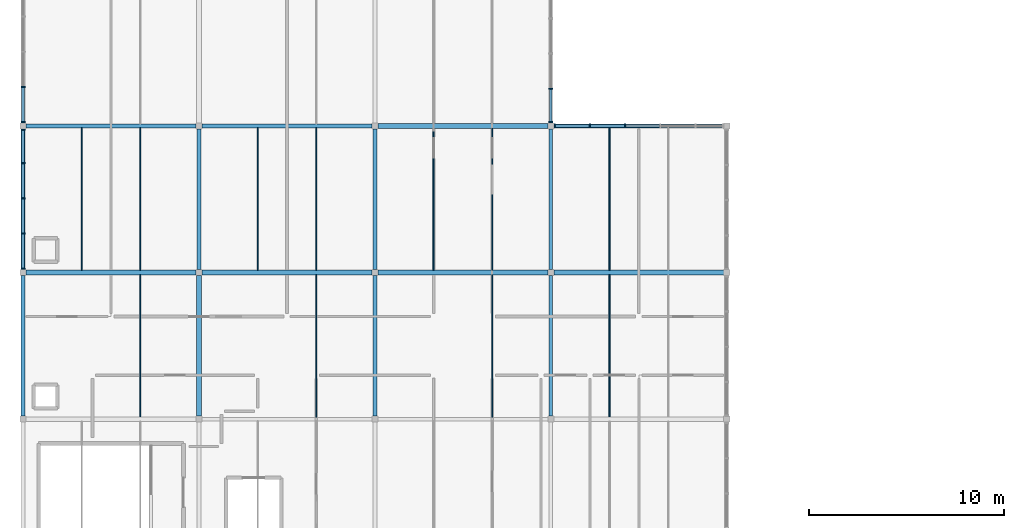
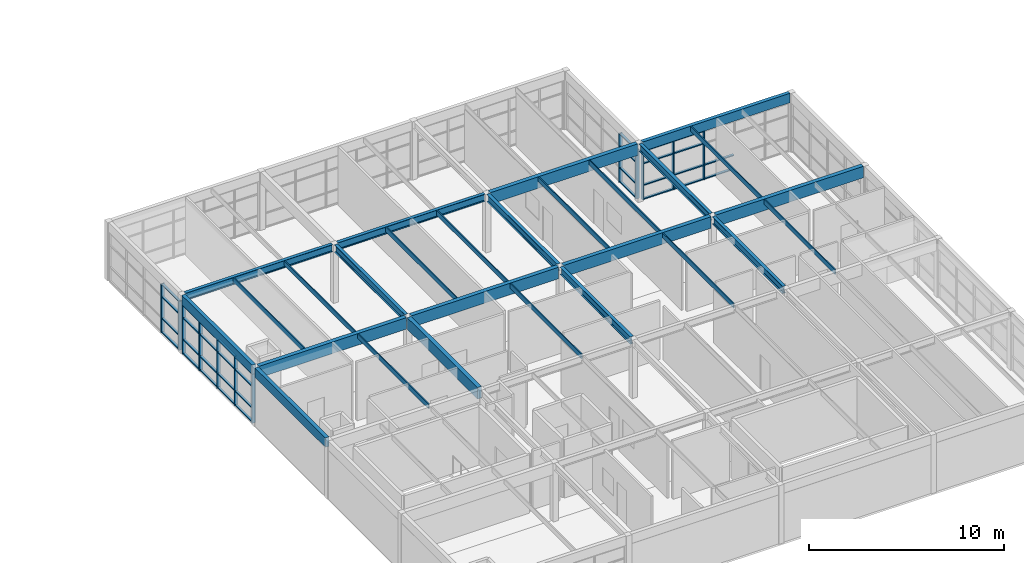
# One storey, part 4 of 24: 46 members, 27 beams, 4 elements without a shape of their own.
"""IFC4 building model written with IfcOpenShell, lengths in metres."""

from ifc_helpers import new_model, si_unit, direction, frame, origin, origin_2d, place, context, subcontext, project, spatial, rectangle, i_section, extrude, material, layer, layer_set, material_profile, profile_set, type_object, element, aggregate, save


model = new_model("IFC4")

# Units and contexts
model_context = context("Model", 3, precision=1e-05, world=origin(), true_north=direction((0.0, 1.0)))
body_context = subcontext(model_context, "Body", "Model", "MODEL_VIEW")
ifc_project = project(units=[si_unit("LENGTHUNIT", "METRE"), si_unit("AREAUNIT", "SQUARE_METRE"), si_unit("VOLUMEUNIT", "CUBIC_METRE"), si_unit("PLANEANGLEUNIT", "RADIAN"), si_unit("MASSUNIT", "GRAM", prefix="KILO")], contexts=[model_context])

# Site, building, storey
site_placement = place(None, origin())
site = spatial("IfcSite", under=ifc_project, at=site_placement, CompositionType="ELEMENT")
building_placement = place(site_placement, origin())
building = spatial("IfcBuilding", under=site, at=building_placement, Name="Marnridge Secondary College", CompositionType="ELEMENT")
storey_placement = place(building_placement, frame((0.0, 0.0, 16.10009765625)))
storey = spatial("IfcBuildingStorey", under=building, at=storey_placement, Name="L04", CompositionType="ELEMENT", Elevation=16.10009765625)

# Beams
ifc_material_1 = material(Name="Glulam timber GL18", Category="wood")
ifc_material_profile_1 = material_profile(ifc_material_1, rectangle(XDim=0.215087890625, YDim=0.5849609375, at=origin_2d()), Name="GL18 215x585")
ifc_profile_set_1 = profile_set([ifc_material_profile_1], Name="Glulam timber GL18")
beam_type_1 = type_object("IfcBeamType", Name="BM-GL585-EXT", PredefinedType="SPANDREL", material=ifc_profile_set_1)
for number, where, z_axis, x_axis, name in (
    (1, (0.0, 15.151611328125, 3.357421875), (0.0, 1.0, 0.0), (-1.0, 0.0, 0.0), "Beam BRF-L04-1391"),
    (2, (0.0, 22.651611328125, 3.357421875), (0.0, 1.0, 0.0), (-1.0, 0.0, 0.0), "Beam BRF-L04-1394"),
):
    element("IfcBeam", number, at=place(storey_placement, frame(where, z_axis=z_axis, x_axis=x_axis)), inside=storey, type_object=beam_type_1, Name=name, PredefinedType="SPANDREL", context=body_context, shape_type="SweptSolid", body=[
        extrude(rectangle(XDim=0.215087890625, YDim=0.5849609375, at=origin_2d()), origin(), (0.0, 0.0, 1.0), 7.19677734375),
    ])
beam_1_placement = place(storey_placement, frame((27.151611328125, 30.0, 3.357421875), z_axis=(1.0, 0.0, 0.0), x_axis=(0.0, 1.0, 0.0)))
element("IfcBeam", 3, at=beam_1_placement, inside=storey, type_object=beam_type_1, Name="Beam BRF-L04-1421", PredefinedType="SPANDREL", context=body_context, shape_type="SweptSolid", body=[
    extrude(rectangle(XDim=0.215087890625, YDim=0.5849609375, at=origin_2d()), origin(), (0.0, 0.0, 1.0), 8.69677734375),
])
ifc_material_2 = material(Name="Glulam timber GL18", Category="wood")
ifc_material_profile_2 = material_profile(ifc_material_2, rectangle(XDim=0.239990234375, YDim=0.719970703125, at=origin_2d()), Name="GL18 240x720")
ifc_profile_set_2 = profile_set([ifc_material_profile_2], Name="Glulam timber GL18")
beam_type_2 = type_object("IfcBeamType", Name="BM-GL720-INT", PredefinedType="BEAM", material=ifc_profile_set_2)
beam_2_placement = place(storey_placement, frame((0.151611328125, 22.5, 3.289794921875), z_axis=(1.0, 0.0, 0.0), x_axis=(0.0, 1.0, 0.0)))
element("IfcBeam", 4, at=beam_2_placement, inside=storey, type_object=beam_type_2, Name="Beam BRF-L04-1390", PredefinedType="BEAM", context=body_context, shape_type="SweptSolid", body=[
    extrude(rectangle(XDim=0.239990234375, YDim=0.719970703125, at=origin_2d()), origin(), (0.0, 0.0, 1.0), 8.69677734375),
])
beam_3_placement = place(storey_placement, frame((9.0, 15.151611328125, 3.289794921875), z_axis=(0.0, 1.0, 0.0), x_axis=(-1.0, 0.0, 0.0)))
element("IfcBeam", 5, at=beam_3_placement, inside=storey, type_object=beam_type_2, Name="Beam BRF-L04-1392", PredefinedType="BEAM", context=body_context, shape_type="SweptSolid", body=[
    extrude(rectangle(XDim=0.239990234375, YDim=0.719970703125, at=origin_2d()), origin(), (0.0, 0.0, 1.0), 7.19677734375),
])
for number, where, z_axis, x_axis, name in (
    (6, (9.151611328125, 22.5, 3.289794921875), (1.0, 0.0, 0.0), (0.0, 1.0, 0.0), "Beam BRF-L04-1401"),
    (7, (18.151611328125, 22.5, 3.289794921875), (1.0, 0.0, 0.0), (0.0, 1.0, 0.0), "Beam BRF-L04-1410"),
    (8, (18.151611328125, 30.0, 3.289794921875), (1.0, 0.0, 0.0), (0.0, 1.0, 0.0), "Beam BRF-L04-1412"),
    (9, (27.151611328125, 22.5, 3.289794921875), (1.0, 0.0, 0.0), (0.0, 1.0, 0.0), "Beam BRF-L04-1419"),
):
    element("IfcBeam", number, at=place(storey_placement, frame(where, z_axis=z_axis, x_axis=x_axis)), inside=storey, type_object=beam_type_2, Name=name, PredefinedType="BEAM", context=body_context, shape_type="SweptSolid", body=[
        extrude(rectangle(XDim=0.239990234375, YDim=0.719970703125, at=origin_2d()), origin(), (0.0, 0.0, 1.0), 8.69677734375),
    ])
ifc_material_3 = material(Name="Engineered timber LVL E13.2", Category="wood")
ifc_material_profile_3 = material_profile(ifc_material_3, rectangle(XDim=0.06298828125, YDim=0.300048828125, at=origin_2d()), Name="LVL 63x300")
ifc_profile_set_3 = profile_set([ifc_material_profile_3], Name="Engineered timber LVL E13.2")
beam_type_3 = type_object("IfcBeamType", Name="BM-LVL300-INT", PredefinedType="JOIST", material=ifc_profile_set_3)
beam_4_placement = place(storey_placement, frame((6.0, 15.114013671875, 3.5), z_axis=(0.0, 1.0, 0.0), x_axis=(-1.0, 0.0, 0.0)))
element("IfcBeam", 10, at=beam_4_placement, inside=storey, type_object=beam_type_3, Name="Beam BJ-L04-1433", PredefinedType="JOIST", context=body_context, shape_type="SweptSolid", body=[
    extrude(rectangle(XDim=0.06298828125, YDim=0.300048828125, at=origin_2d()), origin(), (0.0, 0.0, 1.0), 7.27197265625),
])
for number, where, z_axis, x_axis, name in (
    (11, (3.0, 22.614013671875, 3.5), (0.0, 1.0, 0.0), (-1.0, 0.0, 0.0), "Beam BJ-L04-1434"),
    (12, (6.0, 22.614013671875, 3.5), (0.0, 1.0, 0.0), (-1.0, 0.0, 0.0), "Beam BJ-L04-1435"),
    (13, (15.0, 15.089111328125, 3.5), (0.0, 1.0, 0.0), (-1.0, 0.0, 0.0), "Beam BJ-L04-1439"),
    (14, (12.0, 22.614013671875, 3.5), (0.0, 1.0, 0.0), (-1.0, 0.0, 0.0), "Beam BJ-L04-1440"),
    (15, (15.0, 22.614013671875, 3.5), (0.0, 1.0, 0.0), (-1.0, 0.0, 0.0), "Beam BJ-L04-1441"),
    (16, (24.0, 15.089111328125, 3.5), (0.0, 1.0, 0.0), (-1.0, 0.0, 0.0), "Beam BJ-L04-1445"),
):
    element("IfcBeam", number, at=place(storey_placement, frame(where, z_axis=z_axis, x_axis=x_axis)), inside=storey, type_object=beam_type_3, Name=name, PredefinedType="JOIST", context=body_context, shape_type="SweptSolid", body=[
        extrude(rectangle(XDim=0.06298828125, YDim=0.300048828125, at=origin_2d()), origin(), (0.0, 0.0, 1.0), 7.296875),
    ])
for number, where, z_axis, x_axis, name in (
    (17, (21.0, 22.614013671875, 3.5), (0.0, 1.0, 0.0), (-1.0, 0.0, 0.0), "Beam BJ-L04-1446"),
    (18, (24.0, 22.614013671875, 3.5), (0.0, 1.0, 0.0), (-1.0, 0.0, 0.0), "Beam BJ-L04-1447"),
    (19, (30.0, 15.114013671875, 3.5), (0.0, 1.0, 0.0), (-1.0, 0.0, 0.0), "Beam BJ-L04-1452"),
):
    element("IfcBeam", number, at=place(storey_placement, frame(where, z_axis=z_axis, x_axis=x_axis)), inside=storey, type_object=beam_type_3, Name=name, PredefinedType="JOIST", context=body_context, shape_type="SweptSolid", body=[
        extrude(rectangle(XDim=0.06298828125, YDim=0.300048828125, at=origin_2d()), origin(), (0.0, 0.0, 1.0), 7.27197265625),
    ])
beam_5_placement = place(storey_placement, frame((30.0, 22.614013671875, 3.5), z_axis=(0.0, 1.0, 0.0), x_axis=(-1.0, 0.0, 0.0)))
element("IfcBeam", 20, at=beam_5_placement, inside=storey, type_object=beam_type_3, Name="Beam BJ-L04-1454", PredefinedType="JOIST", context=body_context, shape_type="SweptSolid", body=[
    extrude(rectangle(XDim=0.06298828125, YDim=0.300048828125, at=origin_2d()), origin(), (0.0, 0.0, 1.0), 7.284423828125),
])
ifc_material_4 = material(Name="Structural steel Grade 350 (AS/NZS 3679.1/.2, fy = 340-360 MPa)", Category="steel")
ifc_material_profile_4 = material_profile(ifc_material_4, i_section(OverallWidth=0.1904296875, OverallDepth=0.45751953125, WebThickness=0.009033203125, FlangeThickness=0.014404296875, FilletRadius=0.011474609375, at=origin_2d()), Name="460UB74.6")
ifc_profile_set_4 = profile_set([ifc_material_profile_4], Name="Structural steel Grade 350 (AS/NZS 3679.1/.2, fy = 340-360 MPa)")
beam_type_4 = type_object("IfcBeamType", Name="BM-UB460-INT", PredefinedType="BEAM", material=ifc_profile_set_4)
beam_6_placement = place(storey_placement, frame((0.151611328125, 30.0, 3.421142578125), z_axis=(1.0, 0.0, 0.0), x_axis=(0.0, 1.0, 0.0)))
element("IfcBeam", 21, at=beam_6_placement, inside=storey, type_object=beam_type_4, Name="Beam BRF-L04-1393", PredefinedType="BEAM", context=body_context, shape_type="SweptSolid", body=[
    extrude(i_section(OverallWidth=0.1904296875, OverallDepth=0.45751953125, WebThickness=0.009033203125, FlangeThickness=0.014404296875, FilletRadius=0.011474609375, at=origin_2d()), origin(), (0.0, 0.0, 1.0), 8.69677734375),
])
for number, where, z_axis, x_axis, name in (
    (22, (9.0, 22.651611328125, 3.421142578125), (0.0, 1.0, 0.0), (-1.0, 0.0, 0.0), "Beam BRF-L04-1395"),
    (23, (18.0, 15.151611328125, 3.421142578125), (0.0, 1.0, 0.0), (-1.0, 0.0, 0.0), "Beam BRF-L04-1402"),
):
    element("IfcBeam", number, at=place(storey_placement, frame(where, z_axis=z_axis, x_axis=x_axis)), inside=storey, type_object=beam_type_4, Name=name, PredefinedType="BEAM", context=body_context, shape_type="SweptSolid", body=[
        extrude(i_section(OverallWidth=0.1904296875, OverallDepth=0.45751953125, WebThickness=0.009033203125, FlangeThickness=0.014404296875, FilletRadius=0.011474609375, at=origin_2d()), origin(), (0.0, 0.0, 1.0), 7.19677734375),
    ])
beam_7_placement = place(storey_placement, frame((9.151611328125, 30.0, 3.421142578125), z_axis=(1.0, 0.0, 0.0), x_axis=(0.0, 1.0, 0.0)))
element("IfcBeam", 24, at=beam_7_placement, inside=storey, type_object=beam_type_4, Name="Beam BRF-L04-1403", PredefinedType="BEAM", context=body_context, shape_type="SweptSolid", body=[
    extrude(i_section(OverallWidth=0.1904296875, OverallDepth=0.45751953125, WebThickness=0.009033203125, FlangeThickness=0.014404296875, FilletRadius=0.011474609375, at=origin_2d()), origin(), (0.0, 0.0, 1.0), 8.69677734375),
])
for number, where, z_axis, x_axis, name in (
    (25, (18.0, 22.651611328125, 3.421142578125), (0.0, 1.0, 0.0), (-1.0, 0.0, 0.0), "Beam BRF-L04-1404"),
    (26, (27.0, 15.151611328125, 3.421142578125), (0.0, 1.0, 0.0), (-1.0, 0.0, 0.0), "Beam BRF-L04-1411"),
    (27, (27.0, 22.651611328125, 3.421142578125), (0.0, 1.0, 0.0), (-1.0, 0.0, 0.0), "Beam BRF-L04-1413"),
):
    element("IfcBeam", number, at=place(storey_placement, frame(where, z_axis=z_axis, x_axis=x_axis)), inside=storey, type_object=beam_type_4, Name=name, PredefinedType="BEAM", context=body_context, shape_type="SweptSolid", body=[
        extrude(i_section(OverallWidth=0.1904296875, OverallDepth=0.45751953125, WebThickness=0.009033203125, FlangeThickness=0.014404296875, FilletRadius=0.011474609375, at=origin_2d()), origin(), (0.0, 0.0, 1.0), 7.19677734375),
    ])

# Curtain wall, members
ifc_material_5 = material(Name="Bronze-anodised aluminium and solar-control glazing", Category="aluminium")
ifc_layer = layer(ifc_material_5, 0.199951171875)
ifc_layer_set = layer_set([ifc_layer], Name="CW-MOD-1800")
curtain_wall_type = type_object("IfcCurtainWallType", Name="CW-MOD-1800", PredefinedType="NOTDEFINED", material=ifc_layer_set)
curtain_wall_1_placement = place(storey_placement, origin())
curtain_wall_1 = element("IfcCurtainWall", 28, at=curtain_wall_1_placement, inside=storey, type_object=curtain_wall_type, Name="Unitised curtain wall CW-L04-143", PredefinedType="NOTDEFINED")
ifc_material_6 = material(Name="Bronze-anodised aluminium 6063-T6", Category="aluminium")
ifc_material_profile_5 = material_profile(ifc_material_6, rectangle(XDim=0.070068359375, YDim=0.199951171875, at=origin_2d()), Name="ALU 70x200")
ifc_profile_set_5 = profile_set([ifc_material_profile_5], Name="Bronze-anodised aluminium 6063-T6")
member_type_1 = type_object("IfcMemberType", Name="CWM-ALU200", PredefinedType="MULLION", material=ifc_profile_set_5)
member_1_placement = place(storey_placement, frame((27.0, 31.903564453125, 0.0), z_axis=(0.0, 0.0, 1.0), x_axis=(0.0, -1.0, 0.0)))
member_1 = element("IfcMember", 29, at=member_1_placement, type_object=member_type_1, Name="CW-L04-143 mullion 4", PredefinedType="MULLION", context=body_context, shape_type="SweptSolid", body=[
    extrude(rectangle(XDim=0.070068359375, YDim=0.199951171875, at=origin_2d()), origin(), (0.0, 0.0, 1.0), 3.056884765625),
])
member_2_placement = place(storey_placement, frame((27.0, 30.196533203125, 0.0), z_axis=(0.0, 0.0, 1.0), x_axis=(0.0, -1.0, 0.0)))
member_2 = element("IfcMember", 30, at=member_2_placement, type_object=member_type_1, Name="CW-L04-143 mullion 5", PredefinedType="MULLION", context=body_context, shape_type="SweptSolid", body=[
    extrude(rectangle(XDim=0.070068359375, YDim=0.199951171875, at=origin_2d()), origin(), (0.0, 0.0, 1.0), 3.056884765625),
])

curtain_wall_2_placement = place(storey_placement, origin())
curtain_wall_2 = element("IfcCurtainWall", 31, at=curtain_wall_2_placement, inside=storey, type_object=curtain_wall_type, Name="Unitised curtain wall CW-L04-144", PredefinedType="NOTDEFINED")
member_3_placement = place(storey_placement, frame((27.196533203125, 30.0, 0.0), z_axis=(0.0, 0.0, 1.0), x_axis=(1.0, 0.0, 0.0)))
member_3 = element("IfcMember", 32, at=member_3_placement, type_object=member_type_1, Name="CW-L04-144 mullion 1", PredefinedType="MULLION", context=body_context, shape_type="SweptSolid", body=[
    extrude(rectangle(XDim=0.070068359375, YDim=0.199951171875, at=origin_2d()), origin(), (0.0, 0.0, 1.0), 3.056884765625),
])
member_4_placement = place(storey_placement, frame((28.99658203125, 30.0, 0.0), z_axis=(0.0, 0.0, 1.0), x_axis=(1.0, 0.0, 0.0)))
member_4 = element("IfcMember", 33, at=member_4_placement, type_object=member_type_1, Name="CW-L04-144 mullion 2", PredefinedType="MULLION", context=body_context, shape_type="SweptSolid", body=[
    extrude(rectangle(XDim=0.070068359375, YDim=0.199951171875, at=origin_2d()), origin(), (0.0, 0.0, 1.0), 3.056884765625),
])
member_5_placement = place(storey_placement, frame((30.79638671875, 30.0, 0.0), z_axis=(0.0, 0.0, 1.0), x_axis=(1.0, 0.0, 0.0)))
member_5 = element("IfcMember", 34, at=member_5_placement, type_object=member_type_1, Name="CW-L04-144 mullion 3", PredefinedType="MULLION", context=body_context, shape_type="SweptSolid", body=[
    extrude(rectangle(XDim=0.070068359375, YDim=0.199951171875, at=origin_2d()), origin(), (0.0, 0.0, 1.0), 3.056884765625),
])

curtain_wall_3_placement = place(storey_placement, origin())
curtain_wall_3 = element("IfcCurtainWall", 35, at=curtain_wall_3_placement, inside=storey, type_object=curtain_wall_type, Name="Unitised curtain wall CW-L04-150", PredefinedType="NOTDEFINED")
member_6_placement = place(storey_placement, frame((0.0, 22.696533203125, 0.0), z_axis=(0.0, 0.0, 1.0), x_axis=(0.0, 1.0, 0.0)))
member_6 = element("IfcMember", 36, at=member_6_placement, type_object=member_type_1, Name="CW-L04-150 mullion 1", PredefinedType="MULLION", context=body_context, shape_type="SweptSolid", body=[
    extrude(rectangle(XDim=0.070068359375, YDim=0.199951171875, at=origin_2d()), origin(), (0.0, 0.0, 1.0), 3.056884765625),
])
member_7_placement = place(storey_placement, frame((0.0, 24.49658203125, 0.0), z_axis=(0.0, 0.0, 1.0), x_axis=(0.0, 1.0, 0.0)))
member_7 = element("IfcMember", 37, at=member_7_placement, type_object=member_type_1, Name="CW-L04-150 mullion 2", PredefinedType="MULLION", context=body_context, shape_type="SweptSolid", body=[
    extrude(rectangle(XDim=0.070068359375, YDim=0.199951171875, at=origin_2d()), origin(), (0.0, 0.0, 1.0), 3.056884765625),
])
member_8_placement = place(storey_placement, frame((0.0, 26.29638671875, 0.0), z_axis=(0.0, 0.0, 1.0), x_axis=(0.0, 1.0, 0.0)))
member_8 = element("IfcMember", 38, at=member_8_placement, type_object=member_type_1, Name="CW-L04-150 mullion 3", PredefinedType="MULLION", context=body_context, shape_type="SweptSolid", body=[
    extrude(rectangle(XDim=0.070068359375, YDim=0.199951171875, at=origin_2d()), origin(), (0.0, 0.0, 1.0), 3.056884765625),
])
member_9_placement = place(storey_placement, frame((0.0, 28.096435546875, 0.0), z_axis=(0.0, 0.0, 1.0), x_axis=(0.0, 1.0, 0.0)))
member_9 = element("IfcMember", 39, at=member_9_placement, type_object=member_type_1, Name="CW-L04-150 mullion 4", PredefinedType="MULLION", context=body_context, shape_type="SweptSolid", body=[
    extrude(rectangle(XDim=0.070068359375, YDim=0.199951171875, at=origin_2d()), origin(), (0.0, 0.0, 1.0), 3.056884765625),
])
member_10_placement = place(storey_placement, frame((0.0, 29.803466796875, 0.0), z_axis=(0.0, 0.0, 1.0), x_axis=(0.0, 1.0, 0.0)))
member_10 = element("IfcMember", 40, at=member_10_placement, type_object=member_type_1, Name="CW-L04-150 mullion 5", PredefinedType="MULLION", context=body_context, shape_type="SweptSolid", body=[
    extrude(rectangle(XDim=0.070068359375, YDim=0.199951171875, at=origin_2d()), origin(), (0.0, 0.0, 1.0), 3.056884765625),
])

curtain_wall_4_placement = place(storey_placement, origin())
curtain_wall_4 = element("IfcCurtainWall", 41, at=curtain_wall_4_placement, inside=storey, type_object=curtain_wall_type, Name="Unitised curtain wall CW-L04-151", PredefinedType="NOTDEFINED")
member_11_placement = place(storey_placement, frame((0.0, 30.196533203125, 0.0), z_axis=(0.0, 0.0, 1.0), x_axis=(0.0, 1.0, 0.0)))
member_11 = element("IfcMember", 42, at=member_11_placement, type_object=member_type_1, Name="CW-L04-151 mullion 1", PredefinedType="MULLION", context=body_context, shape_type="SweptSolid", body=[
    extrude(rectangle(XDim=0.070068359375, YDim=0.199951171875, at=origin_2d()), origin(), (0.0, 0.0, 1.0), 3.056884765625),
])
member_12_placement = place(storey_placement, frame((0.0, 31.99658203125, 0.0), z_axis=(0.0, 0.0, 1.0), x_axis=(0.0, 1.0, 0.0)))
member_12 = element("IfcMember", 43, at=member_12_placement, type_object=member_type_1, Name="CW-L04-151 mullion 2", PredefinedType="MULLION", context=body_context, shape_type="SweptSolid", body=[
    extrude(rectangle(XDim=0.070068359375, YDim=0.199951171875, at=origin_2d()), origin(), (0.0, 0.0, 1.0), 3.056884765625),
])

# Member
ifc_material_7 = material(Name="Anodised aluminium 6063-T6", Category="aluminium")
ifc_material_profile_6 = material_profile(ifc_material_7, rectangle(XDim=0.06494140625, YDim=0.139892578125, at=origin_2d()), Name="ALU 65x140")
ifc_profile_set_6 = profile_set([ifc_material_profile_6], Name="Anodised aluminium 6063-T6")
member_type_2 = type_object("IfcMemberType", Name="CWT-ALU140", PredefinedType="USERDEFINED", material=ifc_profile_set_6)
member_13_placement = place(storey_placement, frame((27.0, 31.868408203125, 0.032470703125), z_axis=(0.0, -1.0, 0.0), x_axis=(0.0, 0.0, 1.0)))
member_13 = element("IfcMember", 44, at=member_13_placement, type_object=member_type_2, Name="CW-L04-143 transom 4.1", ObjectType="TRANSOM", PredefinedType="USERDEFINED", context=body_context, shape_type="SweptSolid", body=[
    extrude(rectangle(XDim=0.06494140625, YDim=0.139892578125, at=origin_2d()), origin(), (0.0, 0.0, 1.0), 1.636962890625),
])

member_14_placement = place(storey_placement, frame((27.0, 31.868408203125, 0.89990234375), z_axis=(0.0, -1.0, 0.0), x_axis=(0.0, 0.0, 1.0)))
member_14 = element("IfcMember", 45, at=member_14_placement, type_object=member_type_2, Name="CW-L04-143 transom 4.2", ObjectType="TRANSOM", PredefinedType="USERDEFINED", context=body_context, shape_type="SweptSolid", body=[
    extrude(rectangle(XDim=0.06494140625, YDim=0.139892578125, at=origin_2d()), origin(), (0.0, 0.0, 1.0), 1.636962890625),
])

member_15_placement = place(storey_placement, frame((27.0, 31.868408203125, 2.25), z_axis=(0.0, -1.0, 0.0), x_axis=(0.0, 0.0, 1.0)))
member_15 = element("IfcMember", 46, at=member_15_placement, type_object=member_type_2, Name="CW-L04-143 transom 4.3", ObjectType="TRANSOM", PredefinedType="USERDEFINED", context=body_context, shape_type="SweptSolid", body=[
    extrude(rectangle(XDim=0.06494140625, YDim=0.139892578125, at=origin_2d()), origin(), (0.0, 0.0, 1.0), 1.636962890625),
])

member_16_placement = place(storey_placement, frame((27.0, 31.868408203125, 3.0244140625), z_axis=(0.0, -1.0, 0.0), x_axis=(0.0, 0.0, 1.0)))
member_16 = element("IfcMember", 47, at=member_16_placement, type_object=member_type_2, Name="CW-L04-143 transom 4.4", ObjectType="TRANSOM", PredefinedType="USERDEFINED", context=body_context, shape_type="SweptSolid", body=[
    extrude(rectangle(XDim=0.06494140625, YDim=0.139892578125, at=origin_2d()), origin(), (0.0, 0.0, 1.0), 1.636962890625),
])

aggregate(curtain_wall_1, [member_1, member_2, member_13, member_14, member_15, member_16])

member_17_placement = place(storey_placement, frame((27.2314453125, 30.0, 0.032470703125), z_axis=(1.0, 0.0, 0.0), x_axis=(0.0, 0.0, 1.0)))
member_17 = element("IfcMember", 48, at=member_17_placement, type_object=member_type_2, Name="CW-L04-144 transom 1.1", ObjectType="TRANSOM", PredefinedType="USERDEFINED", context=body_context, shape_type="SweptSolid", body=[
    extrude(rectangle(XDim=0.06494140625, YDim=0.139892578125, at=origin_2d()), origin(), (0.0, 0.0, 1.0), 1.72998046875),
])

member_18_placement = place(storey_placement, frame((27.2314453125, 30.0, 0.89990234375), z_axis=(1.0, 0.0, 0.0), x_axis=(0.0, 0.0, 1.0)))
member_18 = element("IfcMember", 49, at=member_18_placement, type_object=member_type_2, Name="CW-L04-144 transom 1.2", ObjectType="TRANSOM", PredefinedType="USERDEFINED", context=body_context, shape_type="SweptSolid", body=[
    extrude(rectangle(XDim=0.06494140625, YDim=0.139892578125, at=origin_2d()), origin(), (0.0, 0.0, 1.0), 1.72998046875),
])

member_19_placement = place(storey_placement, frame((27.2314453125, 30.0, 2.25), z_axis=(1.0, 0.0, 0.0), x_axis=(0.0, 0.0, 1.0)))
member_19 = element("IfcMember", 50, at=member_19_placement, type_object=member_type_2, Name="CW-L04-144 transom 1.3", ObjectType="TRANSOM", PredefinedType="USERDEFINED", context=body_context, shape_type="SweptSolid", body=[
    extrude(rectangle(XDim=0.06494140625, YDim=0.139892578125, at=origin_2d()), origin(), (0.0, 0.0, 1.0), 1.72998046875),
])

member_20_placement = place(storey_placement, frame((27.2314453125, 30.0, 3.0244140625), z_axis=(1.0, 0.0, 0.0), x_axis=(0.0, 0.0, 1.0)))
member_20 = element("IfcMember", 51, at=member_20_placement, type_object=member_type_2, Name="CW-L04-144 transom 1.4", ObjectType="TRANSOM", PredefinedType="USERDEFINED", context=body_context, shape_type="SweptSolid", body=[
    extrude(rectangle(XDim=0.06494140625, YDim=0.139892578125, at=origin_2d()), origin(), (0.0, 0.0, 1.0), 1.72998046875),
])

member_21_placement = place(storey_placement, frame((29.031494140625, 30.0, 0.032470703125), z_axis=(1.0, 0.0, 0.0), x_axis=(0.0, 0.0, 1.0)))
member_21 = element("IfcMember", 52, at=member_21_placement, type_object=member_type_2, Name="CW-L04-144 transom 2.1", ObjectType="TRANSOM", PredefinedType="USERDEFINED", context=body_context, shape_type="SweptSolid", body=[
    extrude(rectangle(XDim=0.06494140625, YDim=0.139892578125, at=origin_2d()), origin(), (0.0, 0.0, 1.0), 1.72998046875),
])

member_22_placement = place(storey_placement, frame((29.031494140625, 30.0, 0.89990234375), z_axis=(1.0, 0.0, 0.0), x_axis=(0.0, 0.0, 1.0)))
member_22 = element("IfcMember", 53, at=member_22_placement, type_object=member_type_2, Name="CW-L04-144 transom 2.2", ObjectType="TRANSOM", PredefinedType="USERDEFINED", context=body_context, shape_type="SweptSolid", body=[
    extrude(rectangle(XDim=0.06494140625, YDim=0.139892578125, at=origin_2d()), origin(), (0.0, 0.0, 1.0), 1.72998046875),
])

member_23_placement = place(storey_placement, frame((29.031494140625, 30.0, 2.25), z_axis=(1.0, 0.0, 0.0), x_axis=(0.0, 0.0, 1.0)))
member_23 = element("IfcMember", 54, at=member_23_placement, type_object=member_type_2, Name="CW-L04-144 transom 2.3", ObjectType="TRANSOM", PredefinedType="USERDEFINED", context=body_context, shape_type="SweptSolid", body=[
    extrude(rectangle(XDim=0.06494140625, YDim=0.139892578125, at=origin_2d()), origin(), (0.0, 0.0, 1.0), 1.72998046875),
])

member_24_placement = place(storey_placement, frame((29.031494140625, 30.0, 3.0244140625), z_axis=(1.0, 0.0, 0.0), x_axis=(0.0, 0.0, 1.0)))
member_24 = element("IfcMember", 55, at=member_24_placement, type_object=member_type_2, Name="CW-L04-144 transom 2.4", ObjectType="TRANSOM", PredefinedType="USERDEFINED", context=body_context, shape_type="SweptSolid", body=[
    extrude(rectangle(XDim=0.06494140625, YDim=0.139892578125, at=origin_2d()), origin(), (0.0, 0.0, 1.0), 1.72998046875),
])

member_25_placement = place(storey_placement, frame((30.83154296875, 30.0, 0.032470703125), z_axis=(1.0, 0.0, 0.0), x_axis=(0.0, 0.0, 1.0)))
member_25 = element("IfcMember", 56, at=member_25_placement, type_object=member_type_2, Name="CW-L04-144 transom 3.1", ObjectType="TRANSOM", PredefinedType="USERDEFINED", context=body_context, shape_type="SweptSolid", body=[
    extrude(rectangle(XDim=0.06494140625, YDim=0.139892578125, at=origin_2d()), origin(), (0.0, 0.0, 1.0), 1.72998046875),
])

member_26_placement = place(storey_placement, frame((30.83154296875, 30.0, 0.89990234375), z_axis=(1.0, 0.0, 0.0), x_axis=(0.0, 0.0, 1.0)))
member_26 = element("IfcMember", 57, at=member_26_placement, type_object=member_type_2, Name="CW-L04-144 transom 3.2", ObjectType="TRANSOM", PredefinedType="USERDEFINED", context=body_context, shape_type="SweptSolid", body=[
    extrude(rectangle(XDim=0.06494140625, YDim=0.139892578125, at=origin_2d()), origin(), (0.0, 0.0, 1.0), 1.72998046875),
])

aggregate(curtain_wall_2, [member_3, member_4, member_5, member_17, member_18, member_19, member_20, member_21, member_22, member_23, member_24, member_25, member_26])

member_27_placement = place(storey_placement, frame((0.0, 22.7314453125, 0.032470703125), z_axis=(0.0, 1.0, 0.0), x_axis=(0.0, 0.0, 1.0)))
member_27 = element("IfcMember", 58, at=member_27_placement, type_object=member_type_2, Name="CW-L04-150 transom 1.1", ObjectType="TRANSOM", PredefinedType="USERDEFINED", context=body_context, shape_type="SweptSolid", body=[
    extrude(rectangle(XDim=0.06494140625, YDim=0.139892578125, at=origin_2d()), origin(), (0.0, 0.0, 1.0), 1.72998046875),
])

member_28_placement = place(storey_placement, frame((0.0, 22.7314453125, 0.89990234375), z_axis=(0.0, 1.0, 0.0), x_axis=(0.0, 0.0, 1.0)))
member_28 = element("IfcMember", 59, at=member_28_placement, type_object=member_type_2, Name="CW-L04-150 transom 1.2", ObjectType="TRANSOM", PredefinedType="USERDEFINED", context=body_context, shape_type="SweptSolid", body=[
    extrude(rectangle(XDim=0.06494140625, YDim=0.139892578125, at=origin_2d()), origin(), (0.0, 0.0, 1.0), 1.72998046875),
])

member_29_placement = place(storey_placement, frame((0.0, 22.7314453125, 2.25), z_axis=(0.0, 1.0, 0.0), x_axis=(0.0, 0.0, 1.0)))
member_29 = element("IfcMember", 60, at=member_29_placement, type_object=member_type_2, Name="CW-L04-150 transom 1.3", ObjectType="TRANSOM", PredefinedType="USERDEFINED", context=body_context, shape_type="SweptSolid", body=[
    extrude(rectangle(XDim=0.06494140625, YDim=0.139892578125, at=origin_2d()), origin(), (0.0, 0.0, 1.0), 1.72998046875),
])

member_30_placement = place(storey_placement, frame((0.0, 22.7314453125, 3.0244140625), z_axis=(0.0, 1.0, 0.0), x_axis=(0.0, 0.0, 1.0)))
member_30 = element("IfcMember", 61, at=member_30_placement, type_object=member_type_2, Name="CW-L04-150 transom 1.4", ObjectType="TRANSOM", PredefinedType="USERDEFINED", context=body_context, shape_type="SweptSolid", body=[
    extrude(rectangle(XDim=0.06494140625, YDim=0.139892578125, at=origin_2d()), origin(), (0.0, 0.0, 1.0), 1.72998046875),
])

member_31_placement = place(storey_placement, frame((0.0, 24.531494140625, 0.032470703125), z_axis=(0.0, 1.0, 0.0), x_axis=(0.0, 0.0, 1.0)))
member_31 = element("IfcMember", 62, at=member_31_placement, type_object=member_type_2, Name="CW-L04-150 transom 2.1", ObjectType="TRANSOM", PredefinedType="USERDEFINED", context=body_context, shape_type="SweptSolid", body=[
    extrude(rectangle(XDim=0.06494140625, YDim=0.139892578125, at=origin_2d()), origin(), (0.0, 0.0, 1.0), 1.72998046875),
])

member_32_placement = place(storey_placement, frame((0.0, 24.531494140625, 0.89990234375), z_axis=(0.0, 1.0, 0.0), x_axis=(0.0, 0.0, 1.0)))
member_32 = element("IfcMember", 63, at=member_32_placement, type_object=member_type_2, Name="CW-L04-150 transom 2.2", ObjectType="TRANSOM", PredefinedType="USERDEFINED", context=body_context, shape_type="SweptSolid", body=[
    extrude(rectangle(XDim=0.06494140625, YDim=0.139892578125, at=origin_2d()), origin(), (0.0, 0.0, 1.0), 1.72998046875),
])

member_33_placement = place(storey_placement, frame((0.0, 24.531494140625, 2.25), z_axis=(0.0, 1.0, 0.0), x_axis=(0.0, 0.0, 1.0)))
member_33 = element("IfcMember", 64, at=member_33_placement, type_object=member_type_2, Name="CW-L04-150 transom 2.3", ObjectType="TRANSOM", PredefinedType="USERDEFINED", context=body_context, shape_type="SweptSolid", body=[
    extrude(rectangle(XDim=0.06494140625, YDim=0.139892578125, at=origin_2d()), origin(), (0.0, 0.0, 1.0), 1.72998046875),
])

member_34_placement = place(storey_placement, frame((0.0, 24.531494140625, 3.0244140625), z_axis=(0.0, 1.0, 0.0), x_axis=(0.0, 0.0, 1.0)))
member_34 = element("IfcMember", 65, at=member_34_placement, type_object=member_type_2, Name="CW-L04-150 transom 2.4", ObjectType="TRANSOM", PredefinedType="USERDEFINED", context=body_context, shape_type="SweptSolid", body=[
    extrude(rectangle(XDim=0.06494140625, YDim=0.139892578125, at=origin_2d()), origin(), (0.0, 0.0, 1.0), 1.72998046875),
])

member_35_placement = place(storey_placement, frame((0.0, 26.33154296875, 0.032470703125), z_axis=(0.0, 1.0, 0.0), x_axis=(0.0, 0.0, 1.0)))
member_35 = element("IfcMember", 66, at=member_35_placement, type_object=member_type_2, Name="CW-L04-150 transom 3.1", ObjectType="TRANSOM", PredefinedType="USERDEFINED", context=body_context, shape_type="SweptSolid", body=[
    extrude(rectangle(XDim=0.06494140625, YDim=0.139892578125, at=origin_2d()), origin(), (0.0, 0.0, 1.0), 1.72998046875),
])

member_36_placement = place(storey_placement, frame((0.0, 26.33154296875, 0.89990234375), z_axis=(0.0, 1.0, 0.0), x_axis=(0.0, 0.0, 1.0)))
member_36 = element("IfcMember", 67, at=member_36_placement, type_object=member_type_2, Name="CW-L04-150 transom 3.2", ObjectType="TRANSOM", PredefinedType="USERDEFINED", context=body_context, shape_type="SweptSolid", body=[
    extrude(rectangle(XDim=0.06494140625, YDim=0.139892578125, at=origin_2d()), origin(), (0.0, 0.0, 1.0), 1.72998046875),
])

member_37_placement = place(storey_placement, frame((0.0, 26.33154296875, 2.25), z_axis=(0.0, 1.0, 0.0), x_axis=(0.0, 0.0, 1.0)))
member_37 = element("IfcMember", 68, at=member_37_placement, type_object=member_type_2, Name="CW-L04-150 transom 3.3", ObjectType="TRANSOM", PredefinedType="USERDEFINED", context=body_context, shape_type="SweptSolid", body=[
    extrude(rectangle(XDim=0.06494140625, YDim=0.139892578125, at=origin_2d()), origin(), (0.0, 0.0, 1.0), 1.72998046875),
])

member_38_placement = place(storey_placement, frame((0.0, 26.33154296875, 3.0244140625), z_axis=(0.0, 1.0, 0.0), x_axis=(0.0, 0.0, 1.0)))
member_38 = element("IfcMember", 69, at=member_38_placement, type_object=member_type_2, Name="CW-L04-150 transom 3.4", ObjectType="TRANSOM", PredefinedType="USERDEFINED", context=body_context, shape_type="SweptSolid", body=[
    extrude(rectangle(XDim=0.06494140625, YDim=0.139892578125, at=origin_2d()), origin(), (0.0, 0.0, 1.0), 1.72998046875),
])

member_39_placement = place(storey_placement, frame((0.0, 28.131591796875, 0.032470703125), z_axis=(0.0, 1.0, 0.0), x_axis=(0.0, 0.0, 1.0)))
member_39 = element("IfcMember", 70, at=member_39_placement, type_object=member_type_2, Name="CW-L04-150 transom 4.1", ObjectType="TRANSOM", PredefinedType="USERDEFINED", context=body_context, shape_type="SweptSolid", body=[
    extrude(rectangle(XDim=0.06494140625, YDim=0.139892578125, at=origin_2d()), origin(), (0.0, 0.0, 1.0), 1.636962890625),
])

member_40_placement = place(storey_placement, frame((0.0, 28.131591796875, 0.89990234375), z_axis=(0.0, 1.0, 0.0), x_axis=(0.0, 0.0, 1.0)))
member_40 = element("IfcMember", 71, at=member_40_placement, type_object=member_type_2, Name="CW-L04-150 transom 4.2", ObjectType="TRANSOM", PredefinedType="USERDEFINED", context=body_context, shape_type="SweptSolid", body=[
    extrude(rectangle(XDim=0.06494140625, YDim=0.139892578125, at=origin_2d()), origin(), (0.0, 0.0, 1.0), 1.636962890625),
])

member_41_placement = place(storey_placement, frame((0.0, 28.131591796875, 2.25), z_axis=(0.0, 1.0, 0.0), x_axis=(0.0, 0.0, 1.0)))
member_41 = element("IfcMember", 72, at=member_41_placement, type_object=member_type_2, Name="CW-L04-150 transom 4.3", ObjectType="TRANSOM", PredefinedType="USERDEFINED", context=body_context, shape_type="SweptSolid", body=[
    extrude(rectangle(XDim=0.06494140625, YDim=0.139892578125, at=origin_2d()), origin(), (0.0, 0.0, 1.0), 1.636962890625),
])

member_42_placement = place(storey_placement, frame((0.0, 28.131591796875, 3.0244140625), z_axis=(0.0, 1.0, 0.0), x_axis=(0.0, 0.0, 1.0)))
member_42 = element("IfcMember", 73, at=member_42_placement, type_object=member_type_2, Name="CW-L04-150 transom 4.4", ObjectType="TRANSOM", PredefinedType="USERDEFINED", context=body_context, shape_type="SweptSolid", body=[
    extrude(rectangle(XDim=0.06494140625, YDim=0.139892578125, at=origin_2d()), origin(), (0.0, 0.0, 1.0), 1.636962890625),
])

aggregate(curtain_wall_3, [member_6, member_7, member_8, member_9, member_10, member_27, member_28, member_29, member_30, member_31, member_32, member_33, member_34, member_35, member_36, member_37, member_38, member_39, member_40, member_41, member_42])

member_43_placement = place(storey_placement, frame((0.0, 30.2314453125, 0.032470703125), z_axis=(0.0, 1.0, 0.0), x_axis=(0.0, 0.0, 1.0)))
member_43 = element("IfcMember", 74, at=member_43_placement, type_object=member_type_2, Name="CW-L04-151 transom 1.1", ObjectType="TRANSOM", PredefinedType="USERDEFINED", context=body_context, shape_type="SweptSolid", body=[
    extrude(rectangle(XDim=0.06494140625, YDim=0.139892578125, at=origin_2d()), origin(), (0.0, 0.0, 1.0), 1.72998046875),
])

member_44_placement = place(storey_placement, frame((0.0, 30.2314453125, 0.89990234375), z_axis=(0.0, 1.0, 0.0), x_axis=(0.0, 0.0, 1.0)))
member_44 = element("IfcMember", 75, at=member_44_placement, type_object=member_type_2, Name="CW-L04-151 transom 1.2", ObjectType="TRANSOM", PredefinedType="USERDEFINED", context=body_context, shape_type="SweptSolid", body=[
    extrude(rectangle(XDim=0.06494140625, YDim=0.139892578125, at=origin_2d()), origin(), (0.0, 0.0, 1.0), 1.72998046875),
])

member_45_placement = place(storey_placement, frame((0.0, 30.2314453125, 2.25), z_axis=(0.0, 1.0, 0.0), x_axis=(0.0, 0.0, 1.0)))
member_45 = element("IfcMember", 76, at=member_45_placement, type_object=member_type_2, Name="CW-L04-151 transom 1.3", ObjectType="TRANSOM", PredefinedType="USERDEFINED", context=body_context, shape_type="SweptSolid", body=[
    extrude(rectangle(XDim=0.06494140625, YDim=0.139892578125, at=origin_2d()), origin(), (0.0, 0.0, 1.0), 1.72998046875),
])

member_46_placement = place(storey_placement, frame((0.0, 30.2314453125, 3.0244140625), z_axis=(0.0, 1.0, 0.0), x_axis=(0.0, 0.0, 1.0)))
member_46 = element("IfcMember", 77, at=member_46_placement, type_object=member_type_2, Name="CW-L04-151 transom 1.4", ObjectType="TRANSOM", PredefinedType="USERDEFINED", context=body_context, shape_type="SweptSolid", body=[
    extrude(rectangle(XDim=0.06494140625, YDim=0.139892578125, at=origin_2d()), origin(), (0.0, 0.0, 1.0), 1.72998046875),
])

aggregate(curtain_wall_4, [member_11, member_12, member_43, member_44, member_45, member_46])

save(model, "model.ifc")
